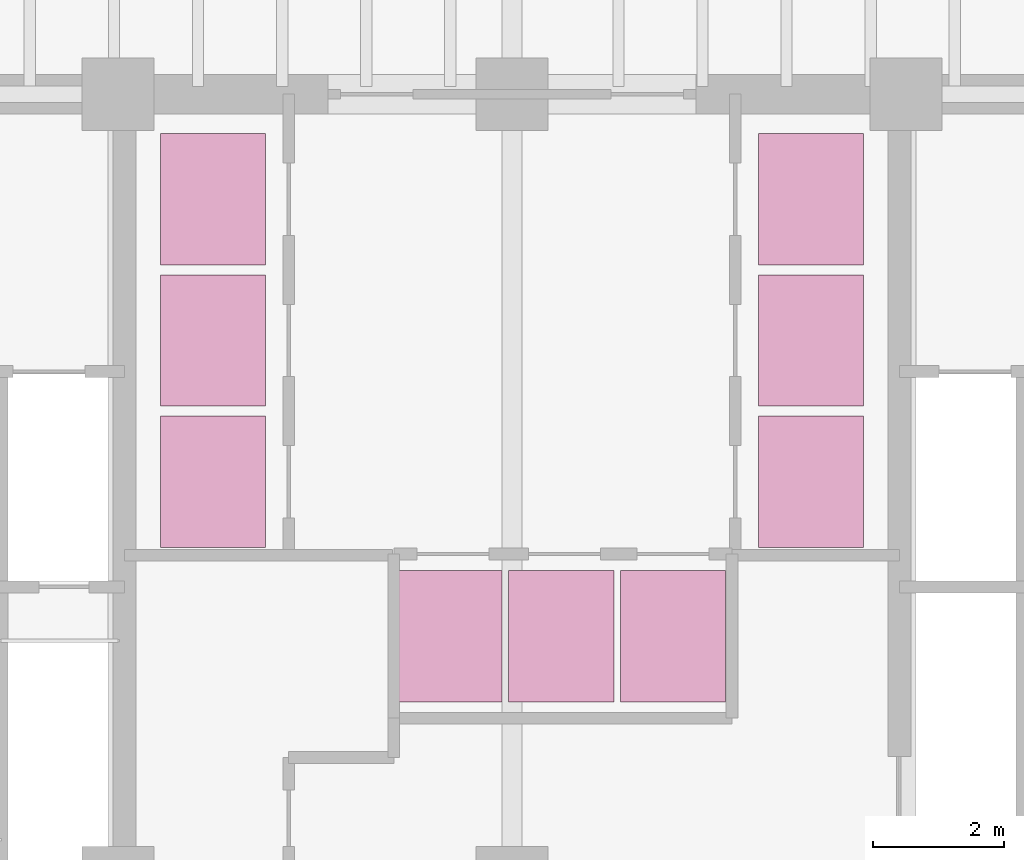
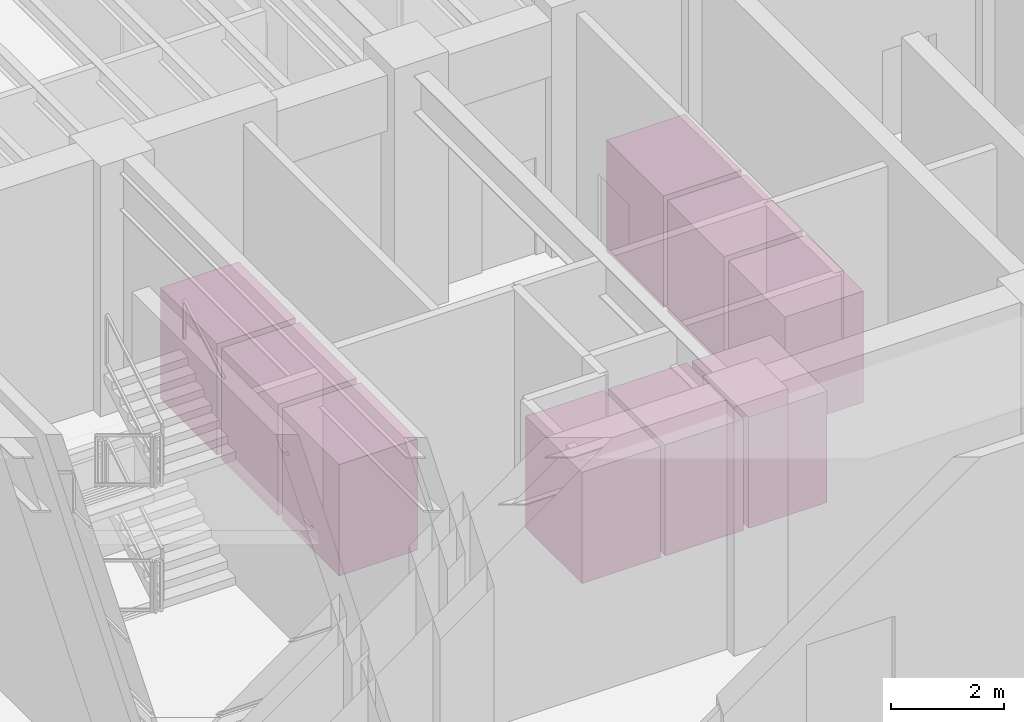
# One storey, part 17 of 17: 9 transport elements.
"""IFC4 building model written with IfcOpenShell, lengths in metres."""

from ifc_helpers import new_model, si_unit, direction, frame, origin, origin_2d, place, context, subcontext, project, spatial, rectangle, extrude, source, transform, mapped, material, type_object, element, save


model = new_model("IFC4")

# Units and contexts
model_context = context("Model", 3, precision=1e-05, world=origin(), true_north=direction((0.0, 1.0)))
body_context = subcontext(model_context, "Body", "Model", "MODEL_VIEW")
ifc_project = project(units=[si_unit("LENGTHUNIT", "METRE"), si_unit("AREAUNIT", "SQUARE_METRE"), si_unit("VOLUMEUNIT", "CUBIC_METRE"), si_unit("PLANEANGLEUNIT", "RADIAN"), si_unit("MASSUNIT", "GRAM", prefix="KILO")], contexts=[model_context])

# Site, building, storey
site_placement = place(None, origin())
site = spatial("IfcSite", under=ifc_project, at=site_placement, CompositionType="ELEMENT")
building_placement = place(site_placement, origin())
building = spatial("IfcBuilding", under=site, at=building_placement, Name="Brelvock Crest Care Tower", CompositionType="ELEMENT")
storey_placement = place(building_placement, origin())
storey = spatial("IfcBuildingStorey", under=building, at=storey_placement, Name="L00", CompositionType="ELEMENT", Elevation=0.0)

# Transport elements
ifc_material = material(Name="Steel Grade 350", Category="steel")
transport_element_type = type_object("IfcTransportElementType", Name="LFT-PL1", PredefinedType="ELEVATOR", material=ifc_material)
shared_shape = source(origin(), body_context, "Body", "SweptSolid", [
    extrude(rectangle(XDim=1.60009765625, YDim=2.0, at=origin_2d()), origin(), (0.0, 0.0, 1.0), 2.39990234375),
])
for number, where, z_axis, x_axis, name in (
    (1, (31.449951171875, 12.10009765625, 0.0), (0.0, 0.0, 1.0), (1.0, 0.0, 0.0), "Elevator Lift Car PL-L1"),
    (2, (31.449951171875, 14.25, 0.0), (0.0, 0.0, 1.0), (1.0, 0.0, 0.0), "Elevator Lift Car PL-L2"),
    (3, (31.449951171875, 16.39990234375, 0.0), (0.0, 0.0, 1.0), (1.0, 0.0, 0.0), "Elevator Lift Car PL-L3"),
    (4, (35.050048828125, 9.75, 0.0), (0.0, 0.0, 1.0), (1.0, 0.0, 0.0), "Elevator Lift Car PL-M1"),
    (5, (36.75, 9.75, 0.0), (0.0, 0.0, 1.0), (1.0, 0.0, 0.0), "Elevator Lift Car PL-M2"),
    (6, (38.449951171875, 9.75, 0.0), (0.0, 0.0, 1.0), (1.0, 0.0, 0.0), "Elevator Lift Car PL-M3"),
    (7, (40.550048828125, 12.10009765625, 0.0), (0.0, 0.0, 1.0), (1.0, 0.0, 0.0), "Elevator Lift Car PL-H1"),
    (8, (40.550048828125, 14.25, 0.0), (0.0, 0.0, 1.0), (1.0, 0.0, 0.0), "Elevator Lift Car PL-H2"),
    (9, (40.550048828125, 16.39990234375, 0.0), (0.0, 0.0, 1.0), (1.0, 0.0, 0.0), "Elevator Lift Car PL-H3"),
):
    element("IfcTransportElement", number, at=place(storey_placement, frame(where, z_axis=z_axis, x_axis=x_axis)), inside=storey, type_object=transport_element_type, Name=name, PredefinedType="ELEVATOR", context=body_context, shape_type="MappedRepresentation", body=[
        mapped(shared_shape, transform((0.0, 0.0, 0.0), x_axis=(1.0, 0.0, 0.0), y_axis=(0.0, 1.0, 0.0), z_axis=(0.0, 0.0, 1.0), scale=1.0)),
    ])

save(model, "model.ifc")
